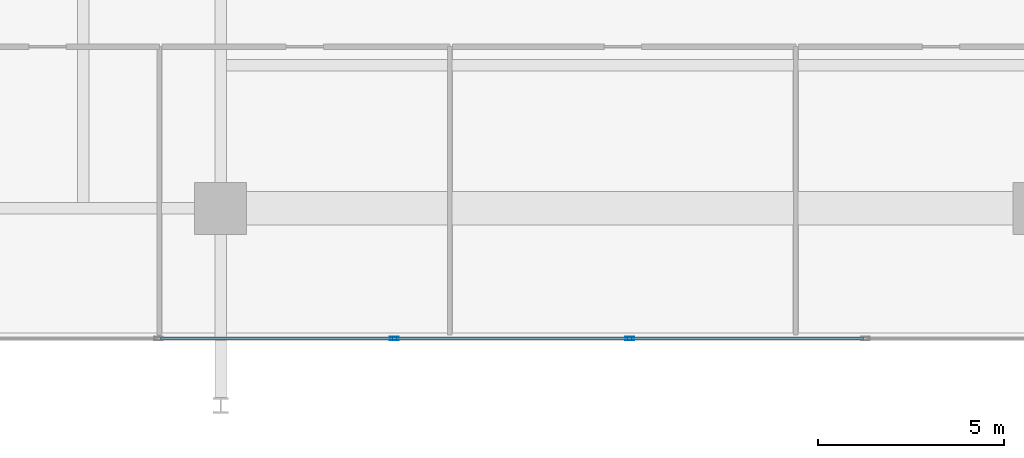
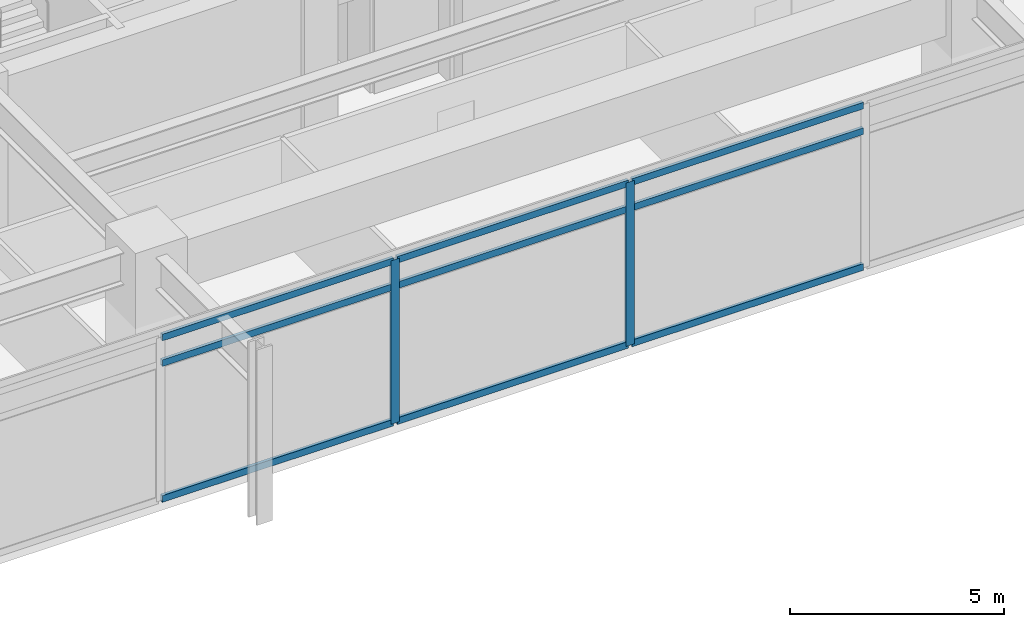
# One storey, part 3 of 19: 11 members, 1 element without a shape of its own.
"""IFC4 building model written with IfcOpenShell, lengths in metres."""

from ifc_helpers import new_model, si_unit, direction, frame, origin, origin_2d, place, context, subcontext, project, spatial, hollow_rectangle, extrude, material, material_profile, profile_set, type_object, element, aggregate, save


model = new_model("IFC4")

# Units and contexts
model_context = context("Model", 3, precision=1e-05, world=origin(), true_north=direction((0.0, 1.0)))
body_context = subcontext(model_context, "Body", "Model", "MODEL_VIEW")
ifc_project = project(units=[si_unit("LENGTHUNIT", "METRE"), si_unit("AREAUNIT", "SQUARE_METRE"), si_unit("VOLUMEUNIT", "CUBIC_METRE"), si_unit("PLANEANGLEUNIT", "RADIAN"), si_unit("MASSUNIT", "GRAM", prefix="KILO")], contexts=[model_context])

# Site, building, storey
site_placement = place(None, origin())
site = spatial("IfcSite", under=ifc_project, at=site_placement, CompositionType="ELEMENT")
building_placement = place(site_placement, origin())
building = spatial("IfcBuilding", under=site, at=building_placement, Name="Kovane Verandah Tower", CompositionType="ELEMENT")
storey_placement = place(building_placement, frame((0.0, 0.0, 184.39990234375)))
storey = spatial("IfcBuildingStorey", under=building, at=storey_placement, Name="L43", CompositionType="ELEMENT", Elevation=184.39990234375)

# Curtain wall, members
ifc_material_1 = material(Name="Champagne Anodised Aluminium Frame with Low-E Clear Laminated Glass", Category="aluminium")
curtain_wall_type = type_object("IfcCurtainWallType", Name="CW-SYS-04-WAIST", PredefinedType="NOTDEFINED", material=ifc_material_1)
curtain_wall_placement = place(storey_placement, origin())
curtain_wall = element("IfcCurtainWall", 1, at=curtain_wall_placement, inside=storey, type_object=curtain_wall_type, Name="L43 S Unitised Curtain Wall", PredefinedType="NOTDEFINED")
ifc_material_2 = material(Name="Champagne Anodised Aluminium 6063-T6", Category="aluminium")
ifc_material_profile_1 = material_profile(ifc_material_2, hollow_rectangle(XDim=0.0849609375, YDim=0.22998046875, WallThickness=0.00390625, at=origin_2d()), Name="AL85x230x4")
ifc_profile_set_1 = profile_set([ifc_material_profile_1], Name="Champagne Anodised Aluminium 6063-T6")
member_type_1 = type_object("IfcMemberType", Name="CW-MUL-85x230", PredefinedType="MULLION", material=ifc_profile_set_1)
member_1_placement = place(storey_placement, frame((33.666748046875, 7.300048828125, 0.02001953125), z_axis=(0.0, 0.0, 1.0), x_axis=(0.0, -1.0, 0.0)))
member_1 = element("IfcMember", 2, at=member_1_placement, type_object=member_type_1, Name="L43 S Unitised Curtain Wall Mullion 3", PredefinedType="MULLION", context=body_context, shape_type="SweptSolid", body=[
    extrude(hollow_rectangle(XDim=0.0849609375, YDim=0.22998046875, WallThickness=0.00390625, at=origin_2d()), origin(), (0.0, 0.0, 1.0), 4.66015625),
])
member_2_placement = place(storey_placement, frame((40.0, 7.300048828125, 0.02001953125), z_axis=(0.0, 0.0, 1.0), x_axis=(0.0, -1.0, 0.0)))
member_2 = element("IfcMember", 3, at=member_2_placement, type_object=member_type_1, Name="L43 S Unitised Curtain Wall Mullion 4", PredefinedType="MULLION", context=body_context, shape_type="SweptSolid", body=[
    extrude(hollow_rectangle(XDim=0.0849609375, YDim=0.22998046875, WallThickness=0.00390625, at=origin_2d()), origin(), (0.0, 0.0, 1.0), 4.66015625),
])
ifc_material_profile_2 = material_profile(ifc_material_2, hollow_rectangle(XDim=0.0849609375, YDim=0.18994140625, WallThickness=0.00390625, at=origin_2d()), Name="AL85x190x4")
ifc_profile_set_2 = profile_set([ifc_material_profile_2], Name="Champagne Anodised Aluminium 6063-T6")
member_type_2 = type_object("IfcMemberType", Name="CW-TRN-85x190", PredefinedType="USERDEFINED", material=ifc_profile_set_2)
member_3_placement = place(storey_placement, frame((27.38330078125, 7.300048828125, 0.050048828125), z_axis=(1.0, 0.0, 0.0), x_axis=(0.0, 1.0, 0.0)))
member_3 = element("IfcMember", 4, at=member_3_placement, type_object=member_type_2, Name="L43 S Unitised Curtain Wall Transom TB Bay 2", ObjectType="TRANSOM", PredefinedType="USERDEFINED", context=body_context, shape_type="SweptSolid", body=[
    extrude(hollow_rectangle(XDim=0.0849609375, YDim=0.18994140625, WallThickness=0.00390625, at=origin_2d()), origin(), (0.0, 0.0, 1.0), 6.2333984375),
])
member_4_placement = place(storey_placement, frame((27.38330078125, 7.300048828125, 3.920166015625), z_axis=(1.0, 0.0, 0.0), x_axis=(0.0, 1.0, 0.0)))
member_4 = element("IfcMember", 5, at=member_4_placement, type_object=member_type_2, Name="L43 S Unitised Curtain Wall Transom TM Bay 2", ObjectType="TRANSOM", PredefinedType="USERDEFINED", context=body_context, shape_type="SweptSolid", body=[
    extrude(hollow_rectangle(XDim=0.0849609375, YDim=0.18994140625, WallThickness=0.00390625, at=origin_2d()), origin(), (0.0, 0.0, 1.0), 6.2333984375),
])
member_5_placement = place(storey_placement, frame((27.38330078125, 7.300048828125, 4.650146484375), z_axis=(1.0, 0.0, 0.0), x_axis=(0.0, 1.0, 0.0)))
member_5 = element("IfcMember", 6, at=member_5_placement, type_object=member_type_2, Name="L43 S Unitised Curtain Wall Transom TT Bay 2", ObjectType="TRANSOM", PredefinedType="USERDEFINED", context=body_context, shape_type="SweptSolid", body=[
    extrude(hollow_rectangle(XDim=0.0849609375, YDim=0.18994140625, WallThickness=0.00390625, at=origin_2d()), origin(), (0.0, 0.0, 1.0), 6.2333984375),
])
member_6_placement = place(storey_placement, frame((33.716796875, 7.300048828125, 0.050048828125), z_axis=(1.0, 0.0, 0.0), x_axis=(0.0, 1.0, 0.0)))
member_6 = element("IfcMember", 7, at=member_6_placement, type_object=member_type_2, Name="L43 S Unitised Curtain Wall Transom TB Bay 3", ObjectType="TRANSOM", PredefinedType="USERDEFINED", context=body_context, shape_type="SweptSolid", body=[
    extrude(hollow_rectangle(XDim=0.0849609375, YDim=0.18994140625, WallThickness=0.00390625, at=origin_2d()), origin(), (0.0, 0.0, 1.0), 6.233154296875),
])
member_7_placement = place(storey_placement, frame((33.716796875, 7.300048828125, 3.920166015625), z_axis=(1.0, 0.0, 0.0), x_axis=(0.0, 1.0, 0.0)))
member_7 = element("IfcMember", 8, at=member_7_placement, type_object=member_type_2, Name="L43 S Unitised Curtain Wall Transom TM Bay 3", ObjectType="TRANSOM", PredefinedType="USERDEFINED", context=body_context, shape_type="SweptSolid", body=[
    extrude(hollow_rectangle(XDim=0.0849609375, YDim=0.18994140625, WallThickness=0.00390625, at=origin_2d()), origin(), (0.0, 0.0, 1.0), 6.233154296875),
])
member_8_placement = place(storey_placement, frame((33.716796875, 7.300048828125, 4.650146484375), z_axis=(1.0, 0.0, 0.0), x_axis=(0.0, 1.0, 0.0)))
member_8 = element("IfcMember", 9, at=member_8_placement, type_object=member_type_2, Name="L43 S Unitised Curtain Wall Transom TT Bay 3", ObjectType="TRANSOM", PredefinedType="USERDEFINED", context=body_context, shape_type="SweptSolid", body=[
    extrude(hollow_rectangle(XDim=0.0849609375, YDim=0.18994140625, WallThickness=0.00390625, at=origin_2d()), origin(), (0.0, 0.0, 1.0), 6.233154296875),
])
member_9_placement = place(storey_placement, frame((40.050048828125, 7.300048828125, 0.050048828125), z_axis=(1.0, 0.0, 0.0), x_axis=(0.0, 1.0, 0.0)))
member_9 = element("IfcMember", 10, at=member_9_placement, type_object=member_type_2, Name="L43 S Unitised Curtain Wall Transom TB Bay 4", ObjectType="TRANSOM", PredefinedType="USERDEFINED", context=body_context, shape_type="SweptSolid", body=[
    extrude(hollow_rectangle(XDim=0.0849609375, YDim=0.18994140625, WallThickness=0.00390625, at=origin_2d()), origin(), (0.0, 0.0, 1.0), 6.233154296875),
])
member_10_placement = place(storey_placement, frame((40.050048828125, 7.300048828125, 3.920166015625), z_axis=(1.0, 0.0, 0.0), x_axis=(0.0, 1.0, 0.0)))
member_10 = element("IfcMember", 11, at=member_10_placement, type_object=member_type_2, Name="L43 S Unitised Curtain Wall Transom TM Bay 4", ObjectType="TRANSOM", PredefinedType="USERDEFINED", context=body_context, shape_type="SweptSolid", body=[
    extrude(hollow_rectangle(XDim=0.0849609375, YDim=0.18994140625, WallThickness=0.00390625, at=origin_2d()), origin(), (0.0, 0.0, 1.0), 6.233154296875),
])
member_11_placement = place(storey_placement, frame((40.050048828125, 7.300048828125, 4.650146484375), z_axis=(1.0, 0.0, 0.0), x_axis=(0.0, 1.0, 0.0)))
member_11 = element("IfcMember", 12, at=member_11_placement, type_object=member_type_2, Name="L43 S Unitised Curtain Wall Transom TT Bay 4", ObjectType="TRANSOM", PredefinedType="USERDEFINED", context=body_context, shape_type="SweptSolid", body=[
    extrude(hollow_rectangle(XDim=0.0849609375, YDim=0.18994140625, WallThickness=0.00390625, at=origin_2d()), origin(), (0.0, 0.0, 1.0), 6.233154296875),
])
aggregate(curtain_wall, [member_1, member_2, member_3, member_4, member_5, member_6, member_7, member_8, member_9, member_10, member_11])

save(model, "model.ifc")
